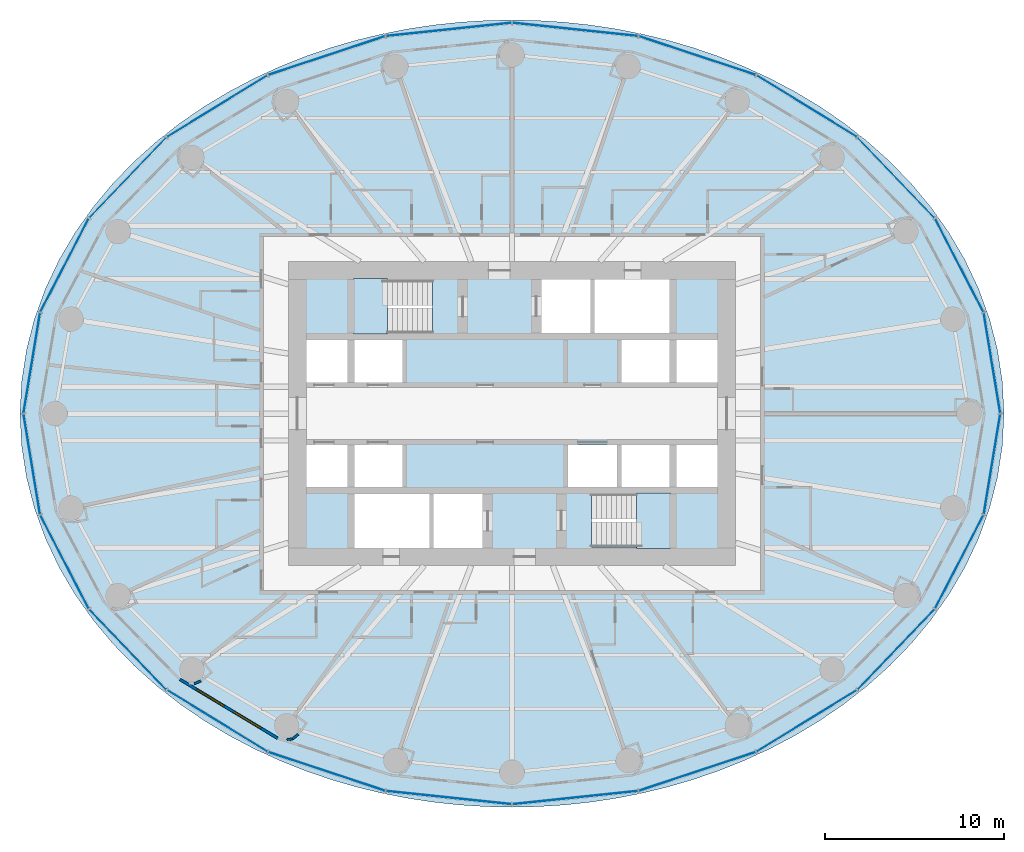
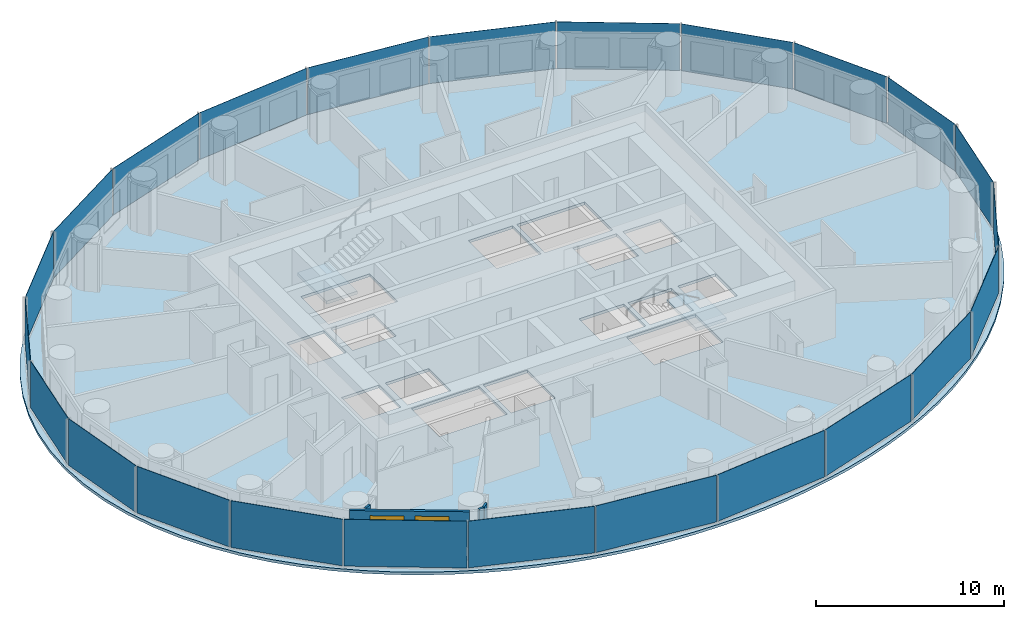
# One storey, part 5 of 13: 24 plates, 4 walls, 3 slabs, 2 windows, 2 openings, 6 elements without a shape of their own.
"""IFC4 building model written with IfcOpenShell, lengths in metres."""

from ifc_helpers import new_model, si_unit, direction, frame, frame_2d, origin, origin_2d, place, context, subcontext, project, spatial, polyline, rectangle, outline, extrude, material, layer, layer_set, type_object, element, fill, aggregate, save


model = new_model("IFC4")

# Units and contexts
model_context = context("Model", 3, precision=1e-05, world=origin(), true_north=direction((0.0, 1.0)))
body_context = subcontext(model_context, "Body", "Model", "MODEL_VIEW")
ifc_project = project(units=[si_unit("LENGTHUNIT", "METRE"), si_unit("AREAUNIT", "SQUARE_METRE"), si_unit("VOLUMEUNIT", "CUBIC_METRE"), si_unit("PLANEANGLEUNIT", "RADIAN"), si_unit("MASSUNIT", "GRAM", prefix="KILO")], contexts=[model_context])

# Site, building, storey
site_placement = place(None, origin())
site = spatial("IfcSite", under=ifc_project, at=site_placement, CompositionType="ELEMENT")
building_placement = place(site_placement, origin())
building = spatial("IfcBuilding", under=site, at=building_placement, Name="Hankou Lantern Tower", CompositionType="ELEMENT")
storey_placement = place(building_placement, frame((0.0, 0.0, 83.699951171875)))
storey = spatial("IfcBuildingStorey", under=building, at=storey_placement, Name="L21", CompositionType="ELEMENT", Elevation=83.699951171875)

# Curtain wall, plates
ifc_material_1 = material(Name="Glass, dark grey tinted laminated", Category="glass")
curtain_wall_type = type_object("IfcCurtainWallType", Name="CWA OUTER SKIN LOW-RISE", PredefinedType="USERDEFINED", material=ifc_material_1)
curtain_wall_1_placement = place(storey_placement, origin())
curtain_wall_1 = element("IfcCurtainWall", 1, at=curtain_wall_1_placement, inside=storey, type_object=curtain_wall_type, Name="CWA L21 OS1", ObjectType="OUTER SKIN LOW-RISE", PredefinedType="USERDEFINED")
ifc_material_2 = material(Name="Glass, dark grey tinted laminated", Category="glass")
ifc_layer_1 = layer(ifc_material_2, 0.02392578125)
ifc_layer_set_1 = layer_set([ifc_layer_1], Name="Glass, dark grey tinted laminated")
plate_type = type_object("IfcPlateType", Name="PN1 OUTER SKIN GLASS PANEL", PredefinedType="CURTAIN_PANEL", material=ifc_layer_set_1)
plate_1_placement = place(storey_placement, frame((26.8349609375, 2.826416015625, 0.080078125), z_axis=(0.0, 0.0, 1.0), x_axis=(-0.162381515188, 0.986728049427, 0.0)))
plate_1 = element("IfcPlate", 2, at=plate_1_placement, type_object=plate_type, Name="CWA glass panel 1", PredefinedType="CURTAIN_PANEL", context=body_context, shape_type="SweptSolid", body=[
    extrude(rectangle(XDim=5.648681640625, YDim=0.02392578125, at=origin_2d()), origin(), (0.0, 0.0, 1.0), 3.0400390625),
])
plate_2_placement = place(storey_placement, frame((25.006103515625, 8.286376953125, 0.080078125), z_axis=(0.0, 0.0, 1.0), x_axis=(-0.459791091957, 0.888027112062, 0.0)))
plate_2 = element("IfcPlate", 3, at=plate_2_placement, type_object=plate_type, Name="CWA glass panel 2", PredefinedType="CURTAIN_PANEL", context=body_context, shape_type="SweptSolid", body=[
    extrude(rectangle(XDim=5.8515625, YDim=0.02392578125, at=origin_2d()), origin(), (0.0, 0.0, 1.0), 3.0400390625),
])
plate_3_placement = place(storey_placement, frame((21.47314453125, 13.181640625, 0.080078125), z_axis=(0.0, 0.0, 1.0), x_axis=(-0.692215809936, 0.721690565599, 0.0)))
plate_3 = element("IfcPlate", 4, at=plate_3_placement, type_object=plate_type, Name="CWA glass panel 3", PredefinedType="CURTAIN_PANEL", context=body_context, shape_type="SweptSolid", body=[
    extrude(rectangle(XDim=6.1875, YDim=0.02392578125, at=origin_2d()), origin(), (0.0, 0.0, 1.0), 3.0400390625),
])
plate_4_placement = place(storey_placement, frame((16.47705078125, 17.1787109375, 0.080078125), z_axis=(0.0, 0.0, 1.0), x_axis=(-0.852237151549, 0.523155653242, 0.0)))
plate_4 = element("IfcPlate", 5, at=plate_4_placement, type_object=plate_type, Name="CWA glass panel 4", PredefinedType="CURTAIN_PANEL", context=body_context, shape_type="SweptSolid", body=[
    extrude(rectangle(XDim=6.554443359375, YDim=0.02392578125, at=origin_2d()), origin(), (0.0, 0.0, 1.0), 3.0400390625),
])
plate_5_placement = place(storey_placement, frame((10.35791015625, 20.0048828125, 0.080078125), z_axis=(0.0, 0.0, 1.0), x_axis=(-0.949240677293, 0.31455068999, 0.0)))
plate_5 = element("IfcPlate", 6, at=plate_5_placement, type_object=plate_type, Name="CWA glass panel 5", PredefinedType="CURTAIN_PANEL", context=body_context, shape_type="SweptSolid", body=[
    extrude(rectangle(XDim=6.856201171875, YDim=0.02392578125, at=origin_2d()), origin(), (0.0, 0.0, 1.0), 3.0400390625),
])
plate_6_placement = place(storey_placement, frame((3.532958984375, 21.468017578125, 0.080078125), z_axis=(0.0, 0.0, 1.0), x_axis=(-0.994499359107, 0.104742659579, 0.0)))
plate_6 = element("IfcPlate", 7, at=plate_6_placement, type_object=plate_type, Name="CWA glass panel 6", PredefinedType="CURTAIN_PANEL", context=body_context, shape_type="SweptSolid", body=[
    extrude(rectangle(XDim=7.02490234375, YDim=0.02392578125, at=origin_2d()), origin(), (0.0, 0.0, 1.0), 3.0400390625),
])
aggregate(curtain_wall_1, [plate_1, plate_2, plate_3, plate_4, plate_5, plate_6])

curtain_wall_2_placement = place(storey_placement, origin())
curtain_wall_2 = element("IfcCurtainWall", 8, at=curtain_wall_2_placement, inside=storey, type_object=curtain_wall_type, Name="CWA L21 OS2", ObjectType="OUTER SKIN LOW-RISE", PredefinedType="USERDEFINED")
plate_7_placement = place(storey_placement, frame((-3.532958984375, 21.468017578125, 0.080078125), z_axis=(0.0, 0.0, 1.0), x_axis=(-0.994499359107, -0.104742659579, 0.0)))
plate_7 = element("IfcPlate", 9, at=plate_7_placement, type_object=plate_type, Name="CWA glass panel 1", PredefinedType="CURTAIN_PANEL", context=body_context, shape_type="SweptSolid", body=[
    extrude(rectangle(XDim=7.02490234375, YDim=0.02392578125, at=origin_2d()), origin(), (0.0, 0.0, 1.0), 3.0400390625),
])
plate_8_placement = place(storey_placement, frame((-10.35791015625, 20.0048828125, 0.080078125), z_axis=(0.0, 0.0, 1.0), x_axis=(-0.949240677293, -0.31455068999, 0.0)))
plate_8 = element("IfcPlate", 10, at=plate_8_placement, type_object=plate_type, Name="CWA glass panel 2", PredefinedType="CURTAIN_PANEL", context=body_context, shape_type="SweptSolid", body=[
    extrude(rectangle(XDim=6.856201171875, YDim=0.02392578125, at=origin_2d()), origin(), (0.0, 0.0, 1.0), 3.0400390625),
])
plate_9_placement = place(storey_placement, frame((-16.47705078125, 17.1787109375, 0.080078125), z_axis=(0.0, 0.0, 1.0), x_axis=(-0.852237151549, -0.523155653242, 0.0)))
plate_9 = element("IfcPlate", 11, at=plate_9_placement, type_object=plate_type, Name="CWA glass panel 3", PredefinedType="CURTAIN_PANEL", context=body_context, shape_type="SweptSolid", body=[
    extrude(rectangle(XDim=6.554443359375, YDim=0.02392578125, at=origin_2d()), origin(), (0.0, 0.0, 1.0), 3.0400390625),
])
plate_10_placement = place(storey_placement, frame((-21.47314453125, 13.181640625, 0.080078125), z_axis=(0.0, 0.0, 1.0), x_axis=(-0.692215809936, -0.721690565599, 0.0)))
plate_10 = element("IfcPlate", 12, at=plate_10_placement, type_object=plate_type, Name="CWA glass panel 4", PredefinedType="CURTAIN_PANEL", context=body_context, shape_type="SweptSolid", body=[
    extrude(rectangle(XDim=6.1875, YDim=0.02392578125, at=origin_2d()), origin(), (0.0, 0.0, 1.0), 3.0400390625),
])
plate_11_placement = place(storey_placement, frame((-25.006103515625, 8.286376953125, 0.080078125), z_axis=(0.0, 0.0, 1.0), x_axis=(-0.459791091957, -0.888027112062, 0.0)))
plate_11 = element("IfcPlate", 13, at=plate_11_placement, type_object=plate_type, Name="CWA glass panel 5", PredefinedType="CURTAIN_PANEL", context=body_context, shape_type="SweptSolid", body=[
    extrude(rectangle(XDim=5.8515625, YDim=0.02392578125, at=origin_2d()), origin(), (0.0, 0.0, 1.0), 3.0400390625),
])
plate_12_placement = place(storey_placement, frame((-26.8349609375, 2.826416015625, 0.080078125), z_axis=(0.0, 0.0, 1.0), x_axis=(-0.162381515188, -0.986728049427, 0.0)))
plate_12 = element("IfcPlate", 14, at=plate_12_placement, type_object=plate_type, Name="CWA glass panel 6", PredefinedType="CURTAIN_PANEL", context=body_context, shape_type="SweptSolid", body=[
    extrude(rectangle(XDim=5.648681640625, YDim=0.02392578125, at=origin_2d()), origin(), (0.0, 0.0, 1.0), 3.0400390625),
])
aggregate(curtain_wall_2, [plate_7, plate_8, plate_9, plate_10, plate_11, plate_12])

curtain_wall_3_placement = place(storey_placement, origin())
curtain_wall_3 = element("IfcCurtainWall", 15, at=curtain_wall_3_placement, inside=storey, type_object=curtain_wall_type, Name="CWA L21 OS3", ObjectType="OUTER SKIN LOW-RISE", PredefinedType="USERDEFINED")
plate_13_placement = place(storey_placement, frame((-26.8349609375, -2.826416015625, 0.080078125), z_axis=(0.0, 0.0, 1.0), x_axis=(0.162381515188, -0.986728049427, 0.0)))
plate_13 = element("IfcPlate", 16, at=plate_13_placement, type_object=plate_type, Name="CWA glass panel 1", PredefinedType="CURTAIN_PANEL", context=body_context, shape_type="SweptSolid", body=[
    extrude(rectangle(XDim=5.648681640625, YDim=0.02392578125, at=origin_2d()), origin(), (0.0, 0.0, 1.0), 3.0400390625),
])
plate_14_placement = place(storey_placement, frame((-25.006103515625, -8.286376953125, 0.080078125), z_axis=(0.0, 0.0, 1.0), x_axis=(0.459791091957, -0.888027112062, 0.0)))
plate_14 = element("IfcPlate", 17, at=plate_14_placement, type_object=plate_type, Name="CWA glass panel 2", PredefinedType="CURTAIN_PANEL", context=body_context, shape_type="SweptSolid", body=[
    extrude(rectangle(XDim=5.8515625, YDim=0.02392578125, at=origin_2d()), origin(), (0.0, 0.0, 1.0), 3.0400390625),
])
plate_15_placement = place(storey_placement, frame((-21.47314453125, -13.181640625, 0.080078125), z_axis=(0.0, 0.0, 1.0), x_axis=(0.692215809936, -0.721690565599, 0.0)))
plate_15 = element("IfcPlate", 18, at=plate_15_placement, type_object=plate_type, Name="CWA glass panel 3", PredefinedType="CURTAIN_PANEL", context=body_context, shape_type="SweptSolid", body=[
    extrude(rectangle(XDim=6.1875, YDim=0.02392578125, at=origin_2d()), origin(), (0.0, 0.0, 1.0), 3.0400390625),
])
plate_16_placement = place(storey_placement, frame((-16.47705078125, -17.1787109375, 0.080078125), z_axis=(0.0, 0.0, 1.0), x_axis=(0.852237151549, -0.523155653242, 0.0)))
plate_16 = element("IfcPlate", 19, at=plate_16_placement, type_object=plate_type, Name="CWA glass panel 4", PredefinedType="CURTAIN_PANEL", context=body_context, shape_type="SweptSolid", body=[
    extrude(rectangle(XDim=6.554443359375, YDim=0.02392578125, at=origin_2d()), origin(), (0.0, 0.0, 1.0), 3.0400390625),
])
plate_17_placement = place(storey_placement, frame((-10.35791015625, -20.0048828125, 0.080078125), z_axis=(0.0, 0.0, 1.0), x_axis=(0.949240677293, -0.31455068999, 0.0)))
plate_17 = element("IfcPlate", 20, at=plate_17_placement, type_object=plate_type, Name="CWA glass panel 5", PredefinedType="CURTAIN_PANEL", context=body_context, shape_type="SweptSolid", body=[
    extrude(rectangle(XDim=6.856201171875, YDim=0.02392578125, at=origin_2d()), origin(), (0.0, 0.0, 1.0), 3.0400390625),
])
plate_18_placement = place(storey_placement, frame((-3.532958984375, -21.468017578125, 0.080078125), z_axis=(0.0, 0.0, 1.0), x_axis=(0.994499359107, -0.104742659579, 0.0)))
plate_18 = element("IfcPlate", 21, at=plate_18_placement, type_object=plate_type, Name="CWA glass panel 6", PredefinedType="CURTAIN_PANEL", context=body_context, shape_type="SweptSolid", body=[
    extrude(rectangle(XDim=7.02490234375, YDim=0.02392578125, at=origin_2d()), origin(), (0.0, 0.0, 1.0), 3.0400390625),
])
aggregate(curtain_wall_3, [plate_13, plate_14, plate_15, plate_16, plate_17, plate_18])

curtain_wall_4_placement = place(storey_placement, origin())
curtain_wall_4 = element("IfcCurtainWall", 22, at=curtain_wall_4_placement, inside=storey, type_object=curtain_wall_type, Name="CWA L21 OS4", ObjectType="OUTER SKIN LOW-RISE", PredefinedType="USERDEFINED")
plate_19_placement = place(storey_placement, frame((3.532958984375, -21.468017578125, 0.080078125), z_axis=(0.0, 0.0, 1.0), x_axis=(0.994499359107, 0.104742659579, 0.0)))
plate_19 = element("IfcPlate", 23, at=plate_19_placement, type_object=plate_type, Name="CWA glass panel 1", PredefinedType="CURTAIN_PANEL", context=body_context, shape_type="SweptSolid", body=[
    extrude(rectangle(XDim=7.02490234375, YDim=0.02392578125, at=origin_2d()), origin(), (0.0, 0.0, 1.0), 3.0400390625),
])
plate_20_placement = place(storey_placement, frame((10.35791015625, -20.0048828125, 0.080078125), z_axis=(0.0, 0.0, 1.0), x_axis=(0.949240677293, 0.31455068999, 0.0)))
plate_20 = element("IfcPlate", 24, at=plate_20_placement, type_object=plate_type, Name="CWA glass panel 2", PredefinedType="CURTAIN_PANEL", context=body_context, shape_type="SweptSolid", body=[
    extrude(rectangle(XDim=6.856201171875, YDim=0.02392578125, at=origin_2d()), origin(), (0.0, 0.0, 1.0), 3.0400390625),
])
plate_21_placement = place(storey_placement, frame((16.47705078125, -17.1787109375, 0.080078125), z_axis=(0.0, 0.0, 1.0), x_axis=(0.852237151549, 0.523155653242, 0.0)))
plate_21 = element("IfcPlate", 25, at=plate_21_placement, type_object=plate_type, Name="CWA glass panel 3", PredefinedType="CURTAIN_PANEL", context=body_context, shape_type="SweptSolid", body=[
    extrude(rectangle(XDim=6.554443359375, YDim=0.02392578125, at=origin_2d()), origin(), (0.0, 0.0, 1.0), 3.0400390625),
])
plate_22_placement = place(storey_placement, frame((21.47314453125, -13.181640625, 0.080078125), z_axis=(0.0, 0.0, 1.0), x_axis=(0.692215809936, 0.721690565599, 0.0)))
plate_22 = element("IfcPlate", 26, at=plate_22_placement, type_object=plate_type, Name="CWA glass panel 4", PredefinedType="CURTAIN_PANEL", context=body_context, shape_type="SweptSolid", body=[
    extrude(rectangle(XDim=6.1875, YDim=0.02392578125, at=origin_2d()), origin(), (0.0, 0.0, 1.0), 3.0400390625),
])
plate_23_placement = place(storey_placement, frame((25.006103515625, -8.286376953125, 0.080078125), z_axis=(0.0, 0.0, 1.0), x_axis=(0.459791091957, 0.888027112062, 0.0)))
plate_23 = element("IfcPlate", 27, at=plate_23_placement, type_object=plate_type, Name="CWA glass panel 5", PredefinedType="CURTAIN_PANEL", context=body_context, shape_type="SweptSolid", body=[
    extrude(rectangle(XDim=5.8515625, YDim=0.02392578125, at=origin_2d()), origin(), (0.0, 0.0, 1.0), 3.0400390625),
])
plate_24_placement = place(storey_placement, frame((26.8349609375, -2.826416015625, 0.080078125), z_axis=(0.0, 0.0, 1.0), x_axis=(0.162381515188, 0.986728049427, 0.0)))
plate_24 = element("IfcPlate", 28, at=plate_24_placement, type_object=plate_type, Name="CWA glass panel 6", PredefinedType="CURTAIN_PANEL", context=body_context, shape_type="SweptSolid", body=[
    extrude(rectangle(XDim=5.648681640625, YDim=0.02392578125, at=origin_2d()), origin(), (0.0, 0.0, 1.0), 3.0400390625),
])
aggregate(curtain_wall_4, [plate_19, plate_20, plate_21, plate_22, plate_23, plate_24])

# Slab
ifc_material_3 = material(Name="Concrete C50", Category="concrete")
ifc_layer_2 = layer(ifc_material_3, 0.179931640625)
ifc_layer_set_2 = layer_set([ifc_layer_2], Name="Concrete C50")
slab_type_1 = type_object("IfcSlabType", Name="S1 CONCRETE FLOOR SLAB 180", PredefinedType="FLOOR", material=ifc_layer_set_2)
slab_1_placement = place(storey_placement, frame((0.0, 0.0, -0.179931640625)))
element("IfcSlab", 29, at=slab_1_placement, inside=storey, type_object=slab_type_1, Name="Floor slab L21", PredefinedType="FLOOR", context=body_context, shape_type="SweptSolid", body=[
    extrude(outline(polyline([(27.5, 0.0), (27.408203125, 1.79638671875), (27.135009765625, 3.572509765625), (26.6875, 5.308349609375), (26.076171875, 6.987060546875), (25.3154296875, 8.593505859375), (24.420654296875, 10.115478515625), (23.40966796875, 11.54443359375), (22.29931640625, 12.87451171875), (21.1064453125, 14.102783203125), (19.846435546875, 15.228759765625), (18.533447265625, 16.25341796875), (17.17919921875, 17.17919921875), (15.794189453125, 18.009765625), (14.38671875, 18.749267578125), (12.964111328125, 19.402099609375), (11.53125, 19.972412109375), (10.09228515625, 20.46484375), (8.650146484375, 20.88330078125), (7.20703125, 21.23095703125), (5.763916015625, 21.51123046875), (4.32177734375, 21.7265625), (2.88037109375, 21.87890625), (1.43994140625, 21.9697265625), (0.0, 22.0), (-1.43994140625, 21.9697265625), (-2.88037109375, 21.87890625), (-4.32177734375, 21.7265625), (-5.763916015625, 21.51123046875), (-7.20703125, 21.23095703125), (-8.650146484375, 20.88330078125), (-10.09228515625, 20.46484375), (-11.53125, 19.972412109375), (-12.964111328125, 19.402099609375), (-14.38671875, 18.749267578125), (-15.794189453125, 18.009765625), (-17.17919921875, 17.17919921875), (-18.533447265625, 16.25341796875), (-19.846435546875, 15.228759765625), (-21.1064453125, 14.102783203125), (-22.29931640625, 12.87451171875), (-23.40966796875, 11.54443359375), (-24.420654296875, 10.115478515625), (-25.3154296875, 8.593505859375), (-26.076171875, 6.987060546875), (-26.6875, 5.308349609375), (-27.135009765625, 3.572509765625), (-27.408203125, 1.79638671875), (-27.5, 0.0), (-27.408203125, -1.79638671875), (-27.135009765625, -3.572509765625), (-26.6875, -5.308349609375), (-26.076171875, -6.987060546875), (-25.3154296875, -8.593505859375), (-24.420654296875, -10.115478515625), (-23.40966796875, -11.54443359375), (-22.29931640625, -12.87451171875), (-21.1064453125, -14.102783203125), (-19.846435546875, -15.228759765625), (-18.533447265625, -16.25341796875), (-17.17919921875, -17.17919921875), (-15.794189453125, -18.009765625), (-14.38671875, -18.749267578125), (-12.964111328125, -19.402099609375), (-11.53125, -19.972412109375), (-10.09228515625, -20.46484375), (-8.650146484375, -20.88330078125), (-7.20703125, -21.23095703125), (-5.763916015625, -21.51123046875), (-4.32177734375, -21.7265625), (-2.88037109375, -21.87890625), (-1.43994140625, -21.9697265625), (0.0, -22.0), (1.43994140625, -21.9697265625), (2.88037109375, -21.87890625), (4.32177734375, -21.7265625), (5.763916015625, -21.51123046875), (7.20703125, -21.23095703125), (8.650146484375, -20.88330078125), (10.09228515625, -20.46484375), (11.53125, -19.972412109375), (12.964111328125, -19.402099609375), (14.38671875, -18.749267578125), (15.794189453125, -18.009765625), (17.17919921875, -17.17919921875), (18.533447265625, -16.25341796875), (19.846435546875, -15.228759765625), (21.1064453125, -14.102783203125), (22.29931640625, -12.87451171875), (23.40966796875, -11.54443359375), (24.420654296875, -10.115478515625), (25.3154296875, -8.593505859375), (26.076171875, -6.987060546875), (26.6875, -5.308349609375), (27.135009765625, -3.572509765625), (27.408203125, -1.79638671875), (27.5, 0.0)]), holes=[polyline([(-11.5, 4.10009765625), (-9.199951171875, 4.10009765625), (-9.199951171875, 1.75), (-11.5, 1.75), (-11.5, 4.10009765625)]), polyline([(-8.800048828125, 4.10009765625), (-6.125, 4.10009765625), (-6.125, 1.75), (-8.800048828125, 1.75), (-8.800048828125, 4.10009765625)]), polyline([(6.125, 4.10009765625), (8.800048828125, 4.10009765625), (8.800048828125, 1.75), (6.125, 1.75), (6.125, 4.10009765625)]), polyline([(9.199951171875, 4.10009765625), (11.5, 4.10009765625), (11.5, 1.75), (9.199951171875, 1.75), (9.199951171875, 4.10009765625)]), polyline([(-11.5, -1.75), (-9.199951171875, -1.75), (-9.199951171875, -4.10009765625), (-11.5, -4.10009765625), (-11.5, -1.75)]), polyline([(-8.800048828125, -1.75), (-6.125, -1.75), (-6.125, -4.10009765625), (-8.800048828125, -4.10009765625), (-8.800048828125, -1.75)]), polyline([(3.125, -1.75), (5.875, -1.75), (5.875, -4.10009765625), (3.125, -4.10009765625), (3.125, -1.75)]), polyline([(6.125, -1.75), (8.800048828125, -1.75), (8.800048828125, -4.10009765625), (6.125, -4.10009765625), (6.125, -1.75)]), polyline([(9.199951171875, -1.75), (11.5, -1.75), (11.5, -4.10009765625), (9.199951171875, -4.10009765625), (9.199951171875, -1.75)]), polyline([(1.64990234375, 7.5), (4.375, 7.5), (4.375, 4.5), (1.64990234375, 4.5), (1.64990234375, 7.5)]), polyline([(-4.375, -4.5), (-1.64990234375, -4.5), (-1.64990234375, -7.5), (-4.375, -7.5), (-4.375, -4.5)]), polyline([(-8.699951171875, 7.449951171875), (-4.449951171875, 7.449951171875), (-4.449951171875, 4.5), (-8.699951171875, 4.5), (-8.699951171875, 7.449951171875)]), polyline([(4.449951171875, -4.5), (8.699951171875, -4.5), (8.699951171875, -7.449951171875), (4.449951171875, -7.449951171875), (4.449951171875, -4.5)]), polyline([(4.625, 7.5), (8.800048828125, 7.5), (8.800048828125, 4.5), (4.625, 4.5), (4.625, 7.5)]), polyline([(-8.800048828125, -4.5), (-4.625, -4.5), (-4.625, -7.5), (-8.800048828125, -7.5), (-8.800048828125, -4.5)])]), origin(), (0.0, 0.0, 1.0), 0.179931640625),
])

# Stair, slab
ifc_material_4 = material(Name="Concrete C40", Category="concrete")
stair_type = type_object("IfcStairType", Name="ST33 CORE STAIR 3300 RISE", PredefinedType="HALF_TURN_STAIR", material=ifc_material_4)
stair_1_placement = place(storey_placement, origin())
stair_1 = element("IfcStair", 30, at=stair_1_placement, inside=storey, type_object=stair_type, Name="Stair STA L21", PredefinedType="HALF_TURN_STAIR")
ifc_material_5 = material(Name="Concrete C40", Category="concrete")
ifc_layer_3 = layer(ifc_material_5, 0.199951171875)
ifc_layer_set_3 = layer_set([ifc_layer_3], Name="Concrete C40")
slab_type_2 = type_object("IfcSlabType", Name="SL1 STAIR LANDING 200", PredefinedType="LANDING", material=ifc_layer_set_3)
slab_2_placement = place(storey_placement, frame((0.0, 0.0, 1.37158203125)))
slab_2 = element("IfcSlab", 31, at=slab_2_placement, type_object=slab_type_2, Name="STA landing 1", PredefinedType="LANDING", context=body_context, shape_type="SweptSolid", body=[
    extrude(outline(polyline([(-8.85009765625, 4.449951171875), (-6.949951171875, 4.449951171875), (-6.949951171875, 7.550048828125), (-8.85009765625, 7.550048828125), (-8.85009765625, 4.449951171875)])), origin(), (0.0, 0.0, 1.0), 0.199951171875),
])
aggregate(stair_1, [slab_2])

stair_2_placement = place(storey_placement, origin())
stair_2 = element("IfcStair", 32, at=stair_2_placement, inside=storey, type_object=stair_type, Name="Stair STB L21", PredefinedType="HALF_TURN_STAIR")
slab_3_placement = place(storey_placement, frame((0.0, 0.0, 1.37158203125)))
slab_3 = element("IfcSlab", 33, at=slab_3_placement, type_object=slab_type_2, Name="STB landing 1", PredefinedType="LANDING", context=body_context, shape_type="SweptSolid", body=[
    extrude(outline(polyline([(8.85009765625, -4.449951171875), (6.949951171875, -4.449951171875), (6.949951171875, -7.550048828125), (8.85009765625, -7.550048828125), (8.85009765625, -4.449951171875)])), origin(), (0.0, 0.0, 1.0), 0.199951171875),
])
aggregate(stair_2, [slab_3])

# Wall, openings, windows
ifc_material_6 = material(Name="Aluminium spandrel panel on steel studs", Category="steel")
ifc_layer_4 = layer(ifc_material_6, 0.14990234375)
ifc_layer_set_4 = layer_set([ifc_layer_4], Name="Aluminium spandrel panel on steel studs")
wall_type_1 = type_object("IfcWallType", Name="EW1 INNER SKIN WALL 150", PredefinedType="ELEMENTEDWALL", material=ifc_layer_set_4)
wall_1_placement = place(storey_placement, frame((-18.569580078125, -14.855712890625, 0.0), z_axis=(0.0, 0.0, 1.0), x_axis=(0.856983180864, -0.515344377787, 0.0)))
wall_1 = element("IfcWall", 34, at=wall_1_placement, inside=storey, type_object=wall_type_1, Name="Inner skin R16-R17 L21", PredefinedType="ELEMENTEDWALL", context=body_context, shape_type="SweptSolid", body=[
    extrude(rectangle(XDim=6.386474609375, YDim=0.14990234375, at=frame_2d((3.193359375, 0.0))), origin(), (0.0, 0.0, 1.0), 3.1201171875),
])
opening_1_placement = place(wall_1_placement, frame((1.09326171875, 0.0, 0.89990234375)))
opening_1 = element("IfcOpeningElement", 35, at=opening_1_placement, cuts=wall_1, Name="Opening W1", PredefinedType="OPENING", context=body_context, shape_type="SweptSolid", body=[
    extrude(rectangle(XDim=1.800048828125, YDim=1.89990234375, at=frame_2d((0.89990234375, 0.949951171875))), frame((0.0, 0.0849609375, 0.0), z_axis=(0.0, -1.0, 0.0), x_axis=(1.0, 0.0, 0.0)), (0.0, 0.0, 1.0), 0.169921875),
])
opening_2_placement = place(wall_1_placement, frame((3.4931640625, 0.0, 0.89990234375)))
opening_2 = element("IfcOpeningElement", 36, at=opening_2_placement, cuts=wall_1, Name="Opening W1", PredefinedType="OPENING", context=body_context, shape_type="SweptSolid", body=[
    extrude(rectangle(XDim=1.800048828125, YDim=1.89990234375, at=frame_2d((0.89990234375, 0.949951171875))), frame((0.0, 0.0849609375, 0.0), z_axis=(0.0, -1.0, 0.0), x_axis=(1.0, 0.0, 0.0)), (0.0, 0.0, 1.0), 0.169921875),
])
ifc_material_7 = material(Name="Aluminium framed double glazed window", Category="aluminium")
window_type = type_object("IfcWindowType", Name="W1 GUEST ROOM WINDOW 1800X1900", PartitioningType="DOUBLE_PANEL_VERTICAL", PredefinedType="WINDOW", material=ifc_material_7)
window_1_placement = place(opening_1_placement, origin())
window_1 = element("IfcWindow", 37, at=window_1_placement, inside=storey, type_object=window_type, Name="Window R16.1 L21", OverallHeight=1.89990234375, OverallWidth=1.800048828125, PartitioningType="SINGLE_PANEL", PredefinedType="WINDOW", context=body_context, shape_type="SweptSolid", body=[
    extrude(rectangle(XDim=1.800048828125, YDim=1.89990234375, at=frame_2d((0.89990234375, 0.949951171875))), frame((0.0, 0.030029296875, 0.0), z_axis=(0.0, -1.0, 0.0), x_axis=(1.0, 0.0, 0.0)), (0.0, 0.0, 1.0), 0.06005859375),
])
fill(opening_1, window_1)
window_2_placement = place(opening_2_placement, origin())
window_2 = element("IfcWindow", 38, at=window_2_placement, inside=storey, type_object=window_type, Name="Window R16.2 L21", OverallHeight=1.89990234375, OverallWidth=1.800048828125, PartitioningType="SINGLE_PANEL", PredefinedType="WINDOW", context=body_context, shape_type="SweptSolid", body=[
    extrude(rectangle(XDim=1.800048828125, YDim=1.89990234375, at=frame_2d((0.89990234375, 0.949951171875))), frame((0.0, 0.030029296875, 0.0), z_axis=(0.0, -1.0, 0.0), x_axis=(1.0, 0.0, 0.0)), (0.0, 0.0, 1.0), 0.06005859375),
])
fill(opening_2, window_2)

# Walls
ifc_material_8 = material(Name="Masonry lightweight concrete block", Category="masonry")
ifc_layer_5 = layer(ifc_material_8, 0.1201171875)
ifc_layer_set_5 = layer_set([ifc_layer_5], Name="Masonry lightweight concrete block")
wall_type_2 = type_object("IfcWallType", Name="IW4 PARTITION 120", PredefinedType="PARTITIONING", material=ifc_layer_set_5)
wall_2_placement = place(storey_placement, frame((-17.38720703125, -14.94384765625, 0.0), z_axis=(0.0, 0.0, 1.0), x_axis=(-0.916036698064, -0.401094462441, 0.0)))
element("IfcWall", 39, at=wall_2_placement, inside=storey, type_object=wall_type_2, Name="Column casing R16", PredefinedType="PARTITIONING", context=body_context, shape_type="SweptSolid", body=[
    extrude(rectangle(XDim=0.418212890625, YDim=0.1201171875, at=frame_2d((0.208984375, 0.0))), origin(), (0.0, 0.0, 1.0), 3.1201171875),
])
wall_3_placement = place(storey_placement, frame((-11.93603515625, -17.9189453125, 0.0), z_axis=(0.0, 0.0, 1.0), x_axis=(-0.775023088441, -0.631932917629, 0.0)))
element("IfcWall", 40, at=wall_3_placement, inside=storey, type_object=wall_type_2, Name="Column casing R17", PredefinedType="PARTITIONING", context=body_context, shape_type="SweptSolid", body=[
    extrude(rectangle(XDim=0.41796875, YDim=0.1201171875, at=frame_2d((0.208984375, 0.0))), origin(), (0.0, 0.0, 1.0), 3.1201171875),
])
wall_4_placement = place(storey_placement, frame((-12.260009765625, -18.18310546875, 0.0), z_axis=(0.0, 0.0, 1.0), x_axis=(-0.987218661664, -0.159371622511, 0.0)))
element("IfcWall", 41, at=wall_4_placement, inside=storey, type_object=wall_type_2, Name="Column casing R17", PredefinedType="PARTITIONING", context=body_context, shape_type="SweptSolid", body=[
    extrude(rectangle(XDim=0.330810546875, YDim=0.1201171875, at=frame_2d((0.16552734375, 0.0))), origin(), (0.0, 0.0, 1.0), 3.1201171875),
])

save(model, "model.ifc")
